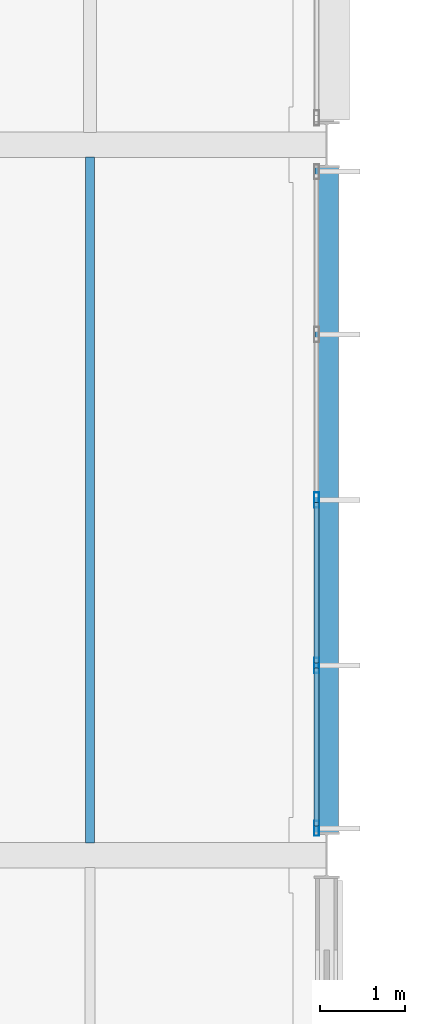
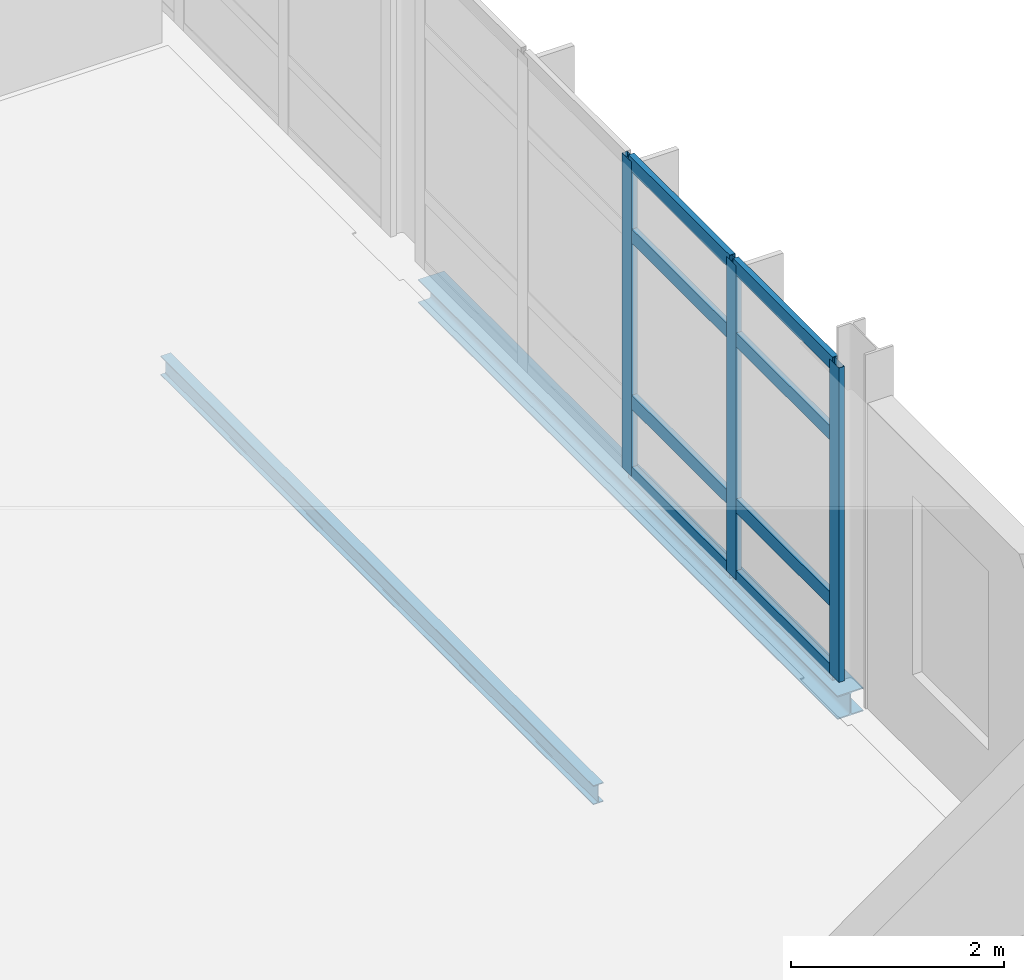
# One storey, part 36 of 103: 11 members, 2 beams, 1 element without a shape of its own.
"""IFC4 building model written with IfcOpenShell, lengths in metres."""

from ifc_helpers import new_model, si_unit, direction, frame, origin, origin_2d, place, context, subcontext, project, spatial, hollow_rectangle, i_section, extrude, material, material_profile, profile_set, type_object, element, aggregate, save


model = new_model("IFC4")

# Units and contexts
model_context = context("Model", 3, precision=1e-05, world=origin(), true_north=direction((0.0, 1.0)))
body_context = subcontext(model_context, "Body", "Model", "MODEL_VIEW")
ifc_project = project(units=[si_unit("LENGTHUNIT", "METRE"), si_unit("AREAUNIT", "SQUARE_METRE"), si_unit("VOLUMEUNIT", "CUBIC_METRE"), si_unit("PLANEANGLEUNIT", "RADIAN"), si_unit("MASSUNIT", "GRAM", prefix="KILO")], contexts=[model_context])

# Site, building, storey
site_placement = place(None, origin())
site = spatial("IfcSite", under=ifc_project, at=site_placement, CompositionType="ELEMENT")
building_placement = place(site_placement, origin())
building = spatial("IfcBuilding", under=site, at=building_placement, Name="Mersafa Astral City Hall", CompositionType="ELEMENT")
storey_placement = place(building_placement, frame((0.0, 0.0, 18.0)))
storey = spatial("IfcBuildingStorey", under=building, at=storey_placement, Name="L04", CompositionType="ELEMENT", Elevation=18.0)

# Curtain wall, members
ifc_material_1 = material(Name="Anodised bronze aluminium framing", Category="aluminium")
curtain_wall_type = type_object("IfcCurtainWallType", Name="ENV-CW-5", PredefinedType="USERDEFINED", material=ifc_material_1)
curtain_wall_placement = place(storey_placement, origin())
curtain_wall = element("IfcCurtainWall", 1, at=curtain_wall_placement, inside=storey, type_object=curtain_wall_type, Name="L04 Unitised solar curtain wall 214", ObjectType="UNITISED CURTAIN WALL", PredefinedType="USERDEFINED")
ifc_material_profile_1 = material_profile(ifc_material_1, hollow_rectangle(XDim=0.06005859375, YDim=0.179931640625, WallThickness=0.00390625, at=origin_2d()), Name="RHS 60x180x4")
ifc_profile_set_1 = profile_set([ifc_material_profile_1], Name="Anodised bronze aluminium framing")
member_type_1 = type_object("IfcMemberType", Name="ENV-CW-MUL-1", PredefinedType="MULLION", material=ifc_profile_set_1)
member_1_placement = place(storey_placement, frame((117.47998046875, 75.9169921875, -0.001953125), z_axis=(0.0, 0.0, 1.0), x_axis=(-1.0, 0.0, 0.0)))
member_1 = element("IfcMember", 2, at=member_1_placement, type_object=member_type_1, Name="CW-5 mullion 1", PredefinedType="MULLION", context=body_context, shape_type="SweptSolid", body=[
    extrude(hollow_rectangle(XDim=0.06005859375, YDim=0.179931640625, WallThickness=0.00390625, at=origin_2d()), origin(), (0.0, 0.0, 1.0), 3.598876953125),
])
member_2_placement = place(storey_placement, frame((117.47998046875, 77.843505859375, -0.001953125), z_axis=(0.0, 0.0, 1.0), x_axis=(-1.0, 0.0, 0.0)))
member_2 = element("IfcMember", 3, at=member_2_placement, type_object=member_type_1, Name="CW-5 mullion 2", PredefinedType="MULLION", context=body_context, shape_type="SweptSolid", body=[
    extrude(hollow_rectangle(XDim=0.06005859375, YDim=0.179931640625, WallThickness=0.00390625, at=origin_2d()), origin(), (0.0, 0.0, 1.0), 3.598876953125),
])
member_3_placement = place(storey_placement, frame((117.47998046875, 79.800048828125, -0.001953125), z_axis=(0.0, 0.0, 1.0), x_axis=(-1.0, 0.0, 0.0)))
member_3 = element("IfcMember", 4, at=member_3_placement, type_object=member_type_1, Name="CW-5 mullion 3", PredefinedType="MULLION", context=body_context, shape_type="SweptSolid", body=[
    extrude(hollow_rectangle(XDim=0.06005859375, YDim=0.179931640625, WallThickness=0.00390625, at=origin_2d()), origin(), (0.0, 0.0, 1.0), 3.598876953125),
])
ifc_material_profile_2 = material_profile(ifc_material_1, hollow_rectangle(XDim=0.06005859375, YDim=0.159912109375, WallThickness=0.00390625, at=origin_2d()), Name="RHS 60x160x4")
ifc_profile_set_2 = profile_set([ifc_material_profile_2], Name="Anodised bronze aluminium framing")
member_type_2 = type_object("IfcMemberType", Name="ENV-CW-TRN-2", PredefinedType="USERDEFINED", material=ifc_profile_set_2)
member_4_placement = place(storey_placement, frame((117.47998046875, 75.947021484375, 0.028076171875), z_axis=(0.0, 1.0, 0.0), x_axis=(-1.0, 0.0, 0.0)))
member_4 = element("IfcMember", 5, at=member_4_placement, type_object=member_type_2, Name="CW-5 transom 1.1", ObjectType="TRANSOM", PredefinedType="USERDEFINED", context=body_context, shape_type="SweptSolid", body=[
    extrude(hollow_rectangle(XDim=0.06005859375, YDim=0.159912109375, WallThickness=0.00390625, at=origin_2d()), origin(), (0.0, 0.0, 1.0), 1.866455078125),
])
member_5_placement = place(storey_placement, frame((117.47998046875, 75.947021484375, 0.85009765625), z_axis=(0.0, 1.0, 0.0), x_axis=(-1.0, 0.0, 0.0)))
member_5 = element("IfcMember", 6, at=member_5_placement, type_object=member_type_2, Name="CW-5 transom 1.2", ObjectType="TRANSOM", PredefinedType="USERDEFINED", context=body_context, shape_type="SweptSolid", body=[
    extrude(hollow_rectangle(XDim=0.06005859375, YDim=0.159912109375, WallThickness=0.00390625, at=origin_2d()), origin(), (0.0, 0.0, 1.0), 1.866455078125),
])
member_6_placement = place(storey_placement, frame((117.47998046875, 75.947021484375, 2.75), z_axis=(0.0, 1.0, 0.0), x_axis=(-1.0, 0.0, 0.0)))
member_6 = element("IfcMember", 7, at=member_6_placement, type_object=member_type_2, Name="CW-5 transom 1.3", ObjectType="TRANSOM", PredefinedType="USERDEFINED", context=body_context, shape_type="SweptSolid", body=[
    extrude(hollow_rectangle(XDim=0.06005859375, YDim=0.159912109375, WallThickness=0.00390625, at=origin_2d()), origin(), (0.0, 0.0, 1.0), 1.866455078125),
])
member_7_placement = place(storey_placement, frame((117.47998046875, 75.947021484375, 3.56689453125), z_axis=(0.0, 1.0, 0.0), x_axis=(-1.0, 0.0, 0.0)))
member_7 = element("IfcMember", 8, at=member_7_placement, type_object=member_type_2, Name="CW-5 transom 1.4", ObjectType="TRANSOM", PredefinedType="USERDEFINED", context=body_context, shape_type="SweptSolid", body=[
    extrude(hollow_rectangle(XDim=0.06005859375, YDim=0.159912109375, WallThickness=0.00390625, at=origin_2d()), origin(), (0.0, 0.0, 1.0), 1.866455078125),
])
member_8_placement = place(storey_placement, frame((117.47998046875, 77.87353515625, 0.028076171875), z_axis=(0.0, 1.0, 0.0), x_axis=(-1.0, 0.0, 0.0)))
member_8 = element("IfcMember", 9, at=member_8_placement, type_object=member_type_2, Name="CW-5 transom 2.1", ObjectType="TRANSOM", PredefinedType="USERDEFINED", context=body_context, shape_type="SweptSolid", body=[
    extrude(hollow_rectangle(XDim=0.06005859375, YDim=0.159912109375, WallThickness=0.00390625, at=origin_2d()), origin(), (0.0, 0.0, 1.0), 1.896484375),
])
member_9_placement = place(storey_placement, frame((117.47998046875, 77.87353515625, 0.85009765625), z_axis=(0.0, 1.0, 0.0), x_axis=(-1.0, 0.0, 0.0)))
member_9 = element("IfcMember", 10, at=member_9_placement, type_object=member_type_2, Name="CW-5 transom 2.2", ObjectType="TRANSOM", PredefinedType="USERDEFINED", context=body_context, shape_type="SweptSolid", body=[
    extrude(hollow_rectangle(XDim=0.06005859375, YDim=0.159912109375, WallThickness=0.00390625, at=origin_2d()), origin(), (0.0, 0.0, 1.0), 1.896484375),
])
member_10_placement = place(storey_placement, frame((117.47998046875, 77.87353515625, 2.75), z_axis=(0.0, 1.0, 0.0), x_axis=(-1.0, 0.0, 0.0)))
member_10 = element("IfcMember", 11, at=member_10_placement, type_object=member_type_2, Name="CW-5 transom 2.3", ObjectType="TRANSOM", PredefinedType="USERDEFINED", context=body_context, shape_type="SweptSolid", body=[
    extrude(hollow_rectangle(XDim=0.06005859375, YDim=0.159912109375, WallThickness=0.00390625, at=origin_2d()), origin(), (0.0, 0.0, 1.0), 1.896484375),
])
member_11_placement = place(storey_placement, frame((117.47998046875, 77.87353515625, 3.56689453125), z_axis=(0.0, 1.0, 0.0), x_axis=(-1.0, 0.0, 0.0)))
member_11 = element("IfcMember", 12, at=member_11_placement, type_object=member_type_2, Name="CW-5 transom 2.4", ObjectType="TRANSOM", PredefinedType="USERDEFINED", context=body_context, shape_type="SweptSolid", body=[
    extrude(hollow_rectangle(XDim=0.06005859375, YDim=0.159912109375, WallThickness=0.00390625, at=origin_2d()), origin(), (0.0, 0.0, 1.0), 1.896484375),
])
aggregate(curtain_wall, [member_1, member_2, member_3, member_4, member_5, member_6, member_7, member_8, member_9, member_10, member_11])

# Beams
ifc_material_2 = material(Name="Steel S355", Category="steel")
ifc_material_profile_3 = material_profile(ifc_material_2, i_section(OverallWidth=0.110107421875, OverallDepth=0.219970703125, WebThickness=0.005859375, FlangeThickness=0.00927734375, FilletRadius=0.011962890625, at=origin_2d()), Name="IPE 220")
ifc_profile_set_3 = profile_set([ifc_material_profile_3], Name="Steel S355")
beam_type_1 = type_object("IfcBeamType", Name="STR-BM-JOIST-IPE220", PredefinedType="JOIST", material=ifc_profile_set_3)
beam_1_placement = place(storey_placement, frame((114.800048828125, 75.7451171875, -0.294921875), z_axis=(0.0, 1.0, 0.0), x_axis=(-1.0, 0.0, 0.0)))
element("IfcBeam", 13, at=beam_1_placement, inside=storey, type_object=beam_type_1, Name="L04 Composite secondary floor joist 735", PredefinedType="JOIST", context=body_context, shape_type="SweptSolid", body=[
    extrude(i_section(OverallWidth=0.110107421875, OverallDepth=0.219970703125, WebThickness=0.005859375, FlangeThickness=0.00927734375, FilletRadius=0.011962890625, at=origin_2d()), origin(), (0.0, 0.0, 1.0), 8.10986328125),
])
ifc_material_profile_4 = material_profile(ifc_material_2, i_section(OverallWidth=0.280029296875, OverallDepth=0.27001953125, WebThickness=0.008056640625, FlangeThickness=0.012939453125, FilletRadius=0.02392578125, at=origin_2d()), Name="HEA 280")
ifc_profile_set_4 = profile_set([ifc_material_profile_4], Name="Steel S355")
beam_type_2 = type_object("IfcBeamType", Name="STR-BM-SPANDREL-HEA280", PredefinedType="SPANDREL", material=ifc_profile_set_4)
beam_2_placement = place(storey_placement, frame((117.60009765625, 75.8701171875, -0.320068359375), z_axis=(0.0, 1.0, 0.0), x_axis=(-1.0, 0.0, 0.0)))
element("IfcBeam", 14, at=beam_2_placement, inside=storey, type_object=beam_type_2, Name="L04 Primary girder Y 14-9", PredefinedType="SPANDREL", context=body_context, shape_type="SweptSolid", body=[
    extrude(i_section(OverallWidth=0.280029296875, OverallDepth=0.27001953125, WebThickness=0.008056640625, FlangeThickness=0.012939453125, FilletRadius=0.02392578125, at=origin_2d()), origin(), (0.0, 0.0, 1.0), 7.85986328125),
])

save(model, "model.ifc")
